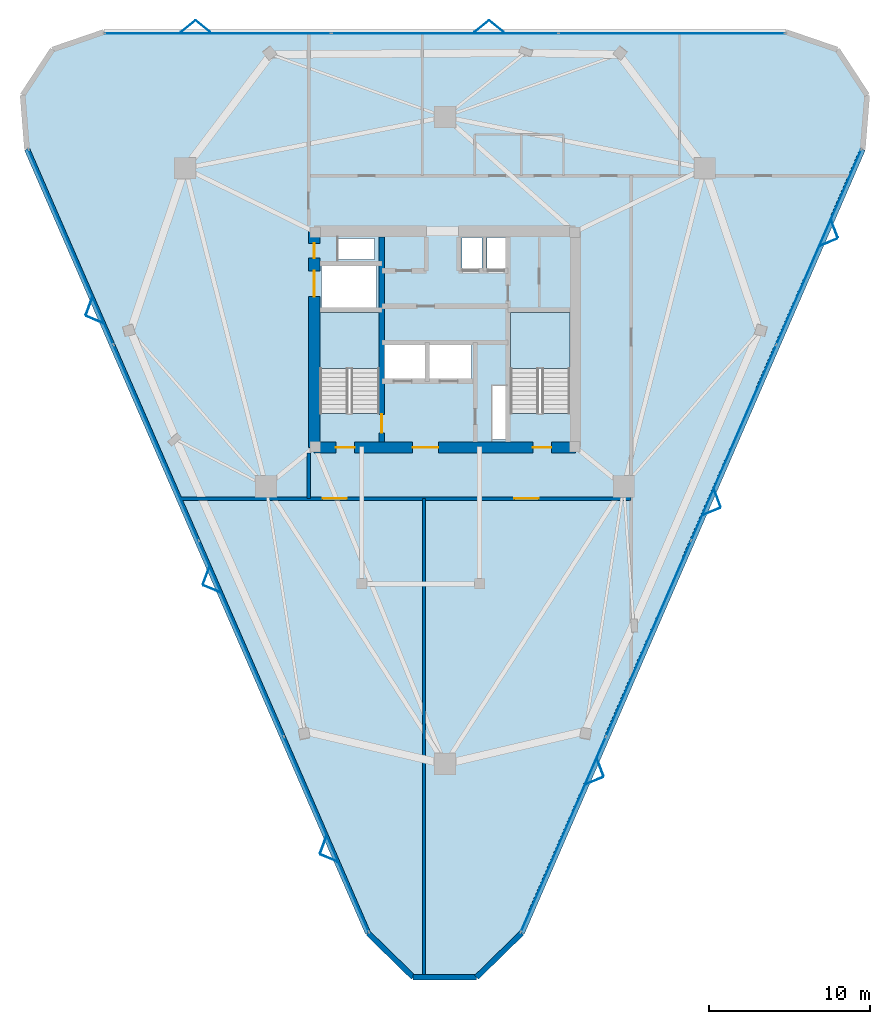
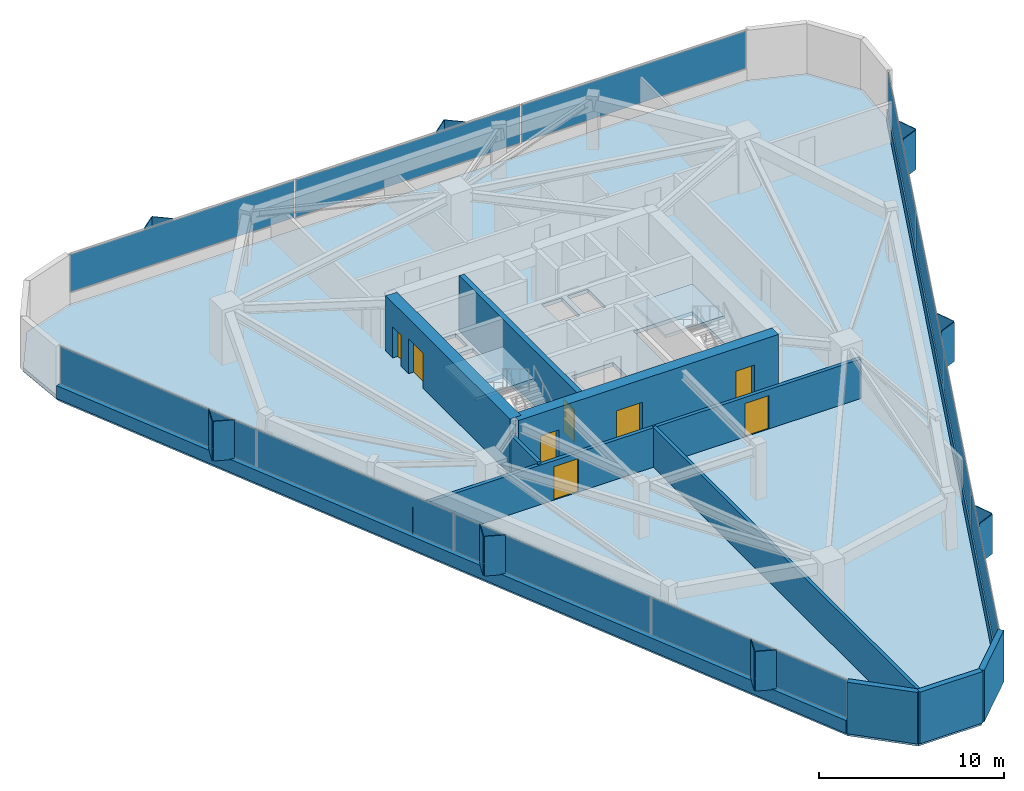
# One storey, part 9 of 12: 27 plates, 11 walls, 8 doors, 3 slabs, 8 openings, 5 elements without a shape of their own.
"""IFC4 building model written with IfcOpenShell, lengths in metres."""

from ifc_helpers import new_model, si_unit, direction, frame, frame_2d, origin, origin_2d, place, context, subcontext, project, spatial, polyline, rectangle, outline, extrude, material, layer, layer_set, type_object, element, fill, aggregate, save


model = new_model("IFC4")

# Units and contexts
model_context = context("Model", 3, precision=1e-05, world=origin(), true_north=direction((0.0, 1.0)))
body_context = subcontext(model_context, "Body", "Model", "MODEL_VIEW")
ifc_project = project(units=[si_unit("LENGTHUNIT", "METRE"), si_unit("AREAUNIT", "SQUARE_METRE"), si_unit("VOLUMEUNIT", "CUBIC_METRE"), si_unit("PLANEANGLEUNIT", "RADIAN"), si_unit("MASSUNIT", "GRAM", prefix="KILO")], contexts=[model_context])

# Site, building, storey
site_placement = place(None, origin())
site = spatial("IfcSite", under=ifc_project, at=site_placement, CompositionType="ELEMENT")
building_placement = place(site_placement, origin())
building = spatial("IfcBuilding", under=site, at=building_placement, Name="Talyreon Biosciences Tower", CompositionType="ELEMENT")
storey_placement = place(building_placement, frame((0.0, 0.0, 197.64990234375)))
storey = spatial("IfcBuildingStorey", under=building, at=storey_placement, Name="L52", CompositionType="ELEMENT", Elevation=197.64990234375)

# Curtain wall, plates
ifc_material_1 = material(Name="Thermally broken aluminium and low-E glazing", Category="aluminium")
ifc_layer_1 = layer(ifc_material_1, 0.179931640625)
ifc_layer_set_1 = layer_set([ifc_layer_1], Name="Thermally broken aluminium and low-E glazing")
curtain_wall_type = type_object("IfcCurtainWallType", Name="CurtainWall_Zone4Optical", PredefinedType="NOTDEFINED", material=ifc_layer_set_1)
curtain_wall_1_placement = place(storey_placement, origin())
curtain_wall_1 = element("IfcCurtainWall", 1, at=curtain_wall_1_placement, inside=storey, type_object=curtain_wall_type, Name="L52 Unitised Curtain Wall FCW-L52-00", PredefinedType="NOTDEFINED")
ifc_material_2 = material(Name="Triple-silver low-E insulated glazing", Category="glass")
ifc_layer_2 = layer(ifc_material_2, 0.031982421875)
ifc_layer_set_2 = layer_set([ifc_layer_2], Name="Triple-silver low-E insulated glazing")
plate_type_1 = type_object("IfcPlateType", Name="CWGlazingPanel_32", PredefinedType="CURTAIN_PANEL", material=ifc_layer_set_2)
plate_1_placement = place(storey_placement, frame((58.656982421875, 37.31640625, 0.875), z_axis=(0.0, 0.0, 1.0), x_axis=(-0.398862148946, 0.917010897502, 0.0)))
plate_1 = element("IfcPlate", 2, at=plate_1_placement, type_object=plate_type_1, Name="CW5 panel 1.1", PredefinedType="CURTAIN_PANEL", context=body_context, shape_type="SweptSolid", body=[
    extrude(rectangle(XDim=13.14697265625, YDim=0.031982421875, at=origin_2d()), origin(), (0.0, 0.0, 1.0), 2.4599609375),
])
plate_2_placement = place(storey_placement, frame((53.380859375, 49.44677734375, 0.875), z_axis=(0.0, 0.0, 1.0), x_axis=(-0.398862148946, 0.917010897502, 0.0)))
plate_2 = element("IfcPlate", 3, at=plate_2_placement, type_object=plate_type_1, Name="CW5 panel 2.1", PredefinedType="CURTAIN_PANEL", context=body_context, shape_type="SweptSolid", body=[
    extrude(rectangle(XDim=13.179443359375, YDim=0.031982421875, at=origin_2d()), origin(), (0.0, 0.0, 1.0), 2.4599609375),
])
plate_3_placement = place(storey_placement, frame((48.09814453125, 61.592041015625, 0.875), z_axis=(0.0, 0.0, 1.0), x_axis=(-0.398862148946, 0.917010897502, 0.0)))
plate_3 = element("IfcPlate", 4, at=plate_3_placement, type_object=plate_type_1, Name="CW5 panel 3.1", PredefinedType="CURTAIN_PANEL", context=body_context, shape_type="SweptSolid", body=[
    extrude(rectangle(XDim=13.179443359375, YDim=0.031982421875, at=origin_2d()), origin(), (0.0, 0.0, 1.0), 2.4599609375),
])
plate_4_placement = place(storey_placement, frame((42.822021484375, 73.722412109375, 0.875), z_axis=(0.0, 0.0, 1.0), x_axis=(-0.398862148946, 0.917010897502, 0.0)))
plate_4 = element("IfcPlate", 5, at=plate_4_placement, type_object=plate_type_1, Name="CW5 panel 4.1", PredefinedType="CURTAIN_PANEL", context=body_context, shape_type="SweptSolid", body=[
    extrude(rectangle(XDim=13.14697265625, YDim=0.031982421875, at=origin_2d()), origin(), (0.0, 0.0, 1.0), 2.4599609375),
])
aggregate(curtain_wall_1, [plate_1, plate_2, plate_3, plate_4])

curtain_wall_2_placement = place(storey_placement, origin())
curtain_wall_2 = element("IfcCurtainWall", 6, at=curtain_wall_2_placement, inside=storey, type_object=curtain_wall_type, Name="L52 Unitised Curtain Wall FCW-L52-04", PredefinedType="NOTDEFINED")
plate_5_placement = place(storey_placement, frame((51.92919921875, 86.971923828125, 0.875), z_axis=(0.0, 0.0, 1.0), x_axis=(1.0, 0.0, 0.0)))
plate_5 = element("IfcPlate", 7, at=plate_5_placement, type_object=plate_type_1, Name="CW5 panel 1.1", PredefinedType="CURTAIN_PANEL", context=body_context, shape_type="SweptSolid", body=[
    extrude(rectangle(XDim=13.98974609375, YDim=0.031982421875, at=origin_2d()), origin(), (0.0, 0.0, 1.0), 2.4599609375),
])
plate_6_placement = place(storey_placement, frame((66.0, 86.971923828125, 0.875), z_axis=(0.0, 0.0, 1.0), x_axis=(1.0, 0.0, 0.0)))
plate_6 = element("IfcPlate", 8, at=plate_6_placement, type_object=plate_type_1, Name="CW5 panel 2.1", PredefinedType="CURTAIN_PANEL", context=body_context, shape_type="SweptSolid", body=[
    extrude(rectangle(XDim=14.022216796875, YDim=0.031982421875, at=origin_2d()), origin(), (0.0, 0.0, 1.0), 2.4599609375),
])
plate_7_placement = place(storey_placement, frame((80.071044921875, 86.971923828125, 0.875), z_axis=(0.0, 0.0, 1.0), x_axis=(1.0, 0.0, 0.0)))
plate_7 = element("IfcPlate", 9, at=plate_7_placement, type_object=plate_type_1, Name="CW5 panel 3.1", PredefinedType="CURTAIN_PANEL", context=body_context, shape_type="SweptSolid", body=[
    extrude(rectangle(XDim=13.98974609375, YDim=0.031982421875, at=origin_2d()), origin(), (0.0, 0.0, 1.0), 2.4599609375),
])
aggregate(curtain_wall_2, [plate_5, plate_6, plate_7])

curtain_wall_3_placement = place(storey_placement, origin())
curtain_wall_3 = element("IfcCurtainWall", 10, at=curtain_wall_3_placement, inside=storey, type_object=curtain_wall_type, Name="L52 Unitised Curtain Wall FCW-L52-08", PredefinedType="NOTDEFINED")
plate_8_placement = place(storey_placement, frame((89.177978515625, 73.722412109375, 0.875), z_axis=(0.0, 0.0, 1.0), x_axis=(-0.398862148946, -0.917010897502, 0.0)))
plate_8 = element("IfcPlate", 11, at=plate_8_placement, type_object=plate_type_1, Name="CW5 panel 1.1", PredefinedType="CURTAIN_PANEL", context=body_context, shape_type="SweptSolid", body=[
    extrude(rectangle(XDim=13.14697265625, YDim=0.031982421875, at=origin_2d()), origin(), (0.0, 0.0, 1.0), 2.4599609375),
])
plate_9_placement = place(storey_placement, frame((83.90185546875, 61.592041015625, 0.875), z_axis=(0.0, 0.0, 1.0), x_axis=(-0.398862148946, -0.917010897502, 0.0)))
plate_9 = element("IfcPlate", 12, at=plate_9_placement, type_object=plate_type_1, Name="CW5 panel 2.1", PredefinedType="CURTAIN_PANEL", context=body_context, shape_type="SweptSolid", body=[
    extrude(rectangle(XDim=13.179443359375, YDim=0.031982421875, at=origin_2d()), origin(), (0.0, 0.0, 1.0), 2.4599609375),
])
plate_10_placement = place(storey_placement, frame((78.619140625, 49.44677734375, 0.875), z_axis=(0.0, 0.0, 1.0), x_axis=(-0.398862148946, -0.917010897502, 0.0)))
plate_10 = element("IfcPlate", 13, at=plate_10_placement, type_object=plate_type_1, Name="CW5 panel 3.1", PredefinedType="CURTAIN_PANEL", context=body_context, shape_type="SweptSolid", body=[
    extrude(rectangle(XDim=13.179443359375, YDim=0.031982421875, at=origin_2d()), origin(), (0.0, 0.0, 1.0), 2.4599609375),
])
plate_11_placement = place(storey_placement, frame((73.343017578125, 37.31640625, 0.875), z_axis=(0.0, 0.0, 1.0), x_axis=(-0.398862148946, -0.917010897502, 0.0)))
plate_11 = element("IfcPlate", 14, at=plate_11_placement, type_object=plate_type_1, Name="CW5 panel 4.1", PredefinedType="CURTAIN_PANEL", context=body_context, shape_type="SweptSolid", body=[
    extrude(rectangle(XDim=13.14697265625, YDim=0.031982421875, at=origin_2d()), origin(), (0.0, 0.0, 1.0), 2.4599609375),
])
aggregate(curtain_wall_3, [plate_8, plate_9, plate_10, plate_11])

# Slab
ifc_material_3 = material(Name="Concrete C40/50", Category="concrete")
ifc_layer_3 = layer(ifc_material_3, 0.25)
ifc_layer_set_3 = layer_set([ifc_layer_3], Name="Concrete C40/50")
slab_type_1 = type_object("IfcSlabType", Name="DryLabFloorSlab_250", PredefinedType="FLOOR", material=ifc_layer_set_3)
slab_1_placement = place(storey_placement, frame((0.0, 0.0, -0.25)))
element("IfcSlab", 15, at=slab_1_placement, inside=storey, type_object=slab_type_1, Name="L52 Structural Floor Slab", PredefinedType="FLOOR", context=body_context, shape_type="SweptSolid", body=[
    extrude(outline(polyline([(61.2314453125, 31.197021484375), (40.100830078125, 79.778076171875), (39.8310546875, 83.138916015625), (41.6796875, 85.958984375), (44.869384765625, 87.052001953125), (87.130859375, 87.052001953125), (90.3203125, 85.958984375), (92.1689453125, 83.138916015625), (91.899169921875, 79.778076171875), (70.7685546875, 31.197021484375), (67.9619140625, 28.455322265625), (64.0380859375, 28.455322265625), (61.2314453125, 31.197021484375)]), holes=[polyline([(69.820068359375, 65.10009765625), (69.820068359375, 61.800048828125), (68.9599609375, 61.800048828125), (68.9599609375, 65.10009765625), (69.820068359375, 65.10009765625)]), polyline([(61.929931640625, 69.64990234375), (61.929931640625, 63.407958984375), (58.25, 63.407958984375), (58.25, 69.64990234375), (61.929931640625, 69.64990234375)]), polyline([(73.75, 69.64990234375), (73.75, 63.407958984375), (70.070068359375, 63.407958984375), (70.070068359375, 69.64990234375), (73.75, 69.64990234375)]), polyline([(64.800048828125, 67.64990234375), (64.800048828125, 65.550048828125), (62.199951171875, 65.550048828125), (62.199951171875, 67.64990234375), (64.800048828125, 67.64990234375)]), polyline([(67.64990234375, 67.64990234375), (67.64990234375, 65.550048828125), (65.050048828125, 65.550048828125), (65.050048828125, 67.64990234375), (67.64990234375, 67.64990234375)]), polyline([(61.75, 72.550048828125), (61.75, 69.97998046875), (58.35009765625, 69.97998046875), (58.35009765625, 72.550048828125), (61.75, 72.550048828125)]), polyline([(68.300048828125, 74.300048828125), (68.300048828125, 72.35009765625), (67.050048828125, 72.35009765625), (67.050048828125, 74.300048828125), (68.300048828125, 74.300048828125)]), polyline([(69.919921875, 72.35009765625), (68.6201171875, 72.35009765625), (68.6201171875, 74.300048828125), (69.919921875, 74.300048828125), (69.919921875, 72.35009765625)]), polyline([(61.64990234375, 72.9599609375), (59.39990234375, 72.9599609375), (59.39990234375, 74.25), (61.64990234375, 74.25), (61.64990234375, 72.9599609375)])]), origin(), (0.0, 0.0, 1.0), 0.25),
])

# Plates
ifc_material_4 = material(Name="Ivory GFRC sunshade panel", Category="concrete")
ifc_layer_4 = layer(ifc_material_4, 0.044921875)
ifc_layer_set_4 = layer_set([ifc_layer_4], Name="Ivory GFRC sunshade panel")
plate_type_2 = type_object("IfcPlateType", Name="FoldedVSunshade_NorthFace_SUNSHADE", PredefinedType="USERDEFINED", material=ifc_layer_set_4)
for number, where, z_axis, x_axis, name in (
    (16, (50.08935546875, 87.412109375, 0.7900390625), (0.0, 0.0, 1.0), (0.771624583388, 0.636078220278, 0.0), "L52 Folded V-Sunshade Panel 04.01L"),
    (17, (50.9892578125, 87.412109375, 0.7900390625), (0.0, 0.0, 1.0), (0.771624583388, -0.636078220278, 0.0), "L52 Folded V-Sunshade Panel 04.01R"),
    (18, (68.289306640625, 87.412109375, 0.7900390625), (0.0, 0.0, 1.0), (0.771624583388, 0.636078220278, 0.0), "L52 Folded V-Sunshade Panel 04.02L"),
    (19, (69.189208984375, 87.412109375, 0.7900390625), (0.0, 0.0, 1.0), (0.771624583388, -0.636078220278, 0.0), "L52 Folded V-Sunshade Panel 04.02R"),
):
    element("IfcPlate", number, at=place(storey_placement, frame(where, z_axis=z_axis, x_axis=x_axis)), inside=storey, type_object=plate_type_2, Name=name, ObjectType="SUNSHADE", PredefinedType="USERDEFINED", context=body_context, shape_type="SweptSolid", body=[
        extrude(rectangle(XDim=1.14990234375, YDim=0.044921875, at=origin_2d()), origin(), (0.0, 0.0, 1.0), 2.610107421875),
    ])
ifc_layer_5 = layer(ifc_material_4, 0.044921875)
ifc_layer_set_5 = layer_set([ifc_layer_5], Name="Ivory GFRC sunshade panel")
plate_type_3 = type_object("IfcPlateType", Name="FoldedVSunshade_SunFace_SUNSHADE", PredefinedType="USERDEFINED", material=ifc_layer_set_5)
for number, where, z_axis, x_axis, name in (
    (20, (58.8193359375, 35.84033203125, 0.7900390625), (0.0, 0.0, 1.0), (-0.923926279217, 0.382570556331, 0.0), "L52 Folded V-Sunshade Panel 00.01L"),
    (21, (58.460205078125, 36.66552734375, 0.7900390625), (0.0, 0.0, 1.0), (0.35009294255, 0.936714968161, 0.0), "L52 Folded V-Sunshade Panel 00.01R"),
    (22, (51.56005859375, 52.52978515625, 0.7900390625), (0.0, 0.0, 1.0), (-0.923926279217, 0.382570556331, 0.0), "L52 Folded V-Sunshade Panel 00.02L"),
    (23, (51.200927734375, 53.355224609375, 0.7900390625), (0.0, 0.0, 1.0), (0.35009294255, 0.936714968161, 0.0), "L52 Folded V-Sunshade Panel 00.02R"),
    (24, (44.30078125, 69.219482421875, 0.7900390625), (0.0, 0.0, 1.0), (-0.923926279217, 0.382570556331, 0.0), "L52 Folded V-Sunshade Panel 00.03L"),
    (25, (43.94189453125, 70.044921875, 0.7900390625), (0.0, 0.0, 1.0), (0.35009294255, 0.936714968161, 0.0), "L52 Folded V-Sunshade Panel 00.03R"),
    (26, (90.147216796875, 74.84765625, 0.7900390625), (0.0, 0.0, 1.0), (0.35009294255, -0.936714968161, 0.0), "L52 Folded V-Sunshade Panel 08.01L"),
    (27, (89.788330078125, 74.022216796875, 0.7900390625), (0.0, 0.0, 1.0), (-0.923926279217, -0.382570556331, 0.0), "L52 Folded V-Sunshade Panel 08.01R"),
    (28, (82.887939453125, 58.157958984375, 0.7900390625), (0.0, 0.0, 1.0), (0.35009294255, -0.936714968161, 0.0), "L52 Folded V-Sunshade Panel 08.02L"),
    (29, (82.529052734375, 57.332763671875, 0.7900390625), (0.0, 0.0, 1.0), (-0.923926279217, -0.382570556331, 0.0), "L52 Folded V-Sunshade Panel 08.02R"),
    (30, (75.628662109375, 41.468505859375, 0.7900390625), (0.0, 0.0, 1.0), (0.35009294255, -0.936714968161, 0.0), "L52 Folded V-Sunshade Panel 08.03L"),
    (31, (75.269775390625, 40.64306640625, 0.7900390625), (0.0, 0.0, 1.0), (-0.923926279217, -0.382570556331, 0.0), "L52 Folded V-Sunshade Panel 08.03R"),
):
    element("IfcPlate", number, at=place(storey_placement, frame(where, z_axis=z_axis, x_axis=x_axis)), inside=storey, type_object=plate_type_3, Name=name, ObjectType="SUNSHADE", PredefinedType="USERDEFINED", context=body_context, shape_type="SweptSolid", body=[
        extrude(rectangle(XDim=1.14990234375, YDim=0.044921875, at=origin_2d()), origin(), (0.0, 0.0, 1.0), 2.610107421875),
    ])

# Stair, slab
stair_type = type_object("IfcStairType", Name="DoglegEscapeStair_3650", PredefinedType="HALF_TURN_STAIR", material=ifc_material_3)
stair_1_placement = place(storey_placement, origin())
stair_1 = element("IfcStair", 32, at=stair_1_placement, inside=storey, type_object=stair_type, Name="L52 Core Escape Stair 1", PredefinedType="HALF_TURN_STAIR")
ifc_layer_6 = layer(ifc_material_3, 0.199951171875)
ifc_layer_set_6 = layer_set([ifc_layer_6], Name="Concrete C40/50")
slab_type_2 = type_object("IfcSlabType", Name="StairLandingSlab_200", PredefinedType="LANDING", material=ifc_layer_set_6)
slab_2_placement = place(storey_placement, frame((0.0, 0.0, 1.625)))
slab_2 = element("IfcSlab", 33, at=slab_2_placement, type_object=slab_type_2, Name="ST-1 landing 1", PredefinedType="LANDING", context=body_context, shape_type="SweptSolid", body=[
    extrude(outline(polyline([(61.929931640625, 66.199951171875), (61.929931640625, 69.64990234375), (58.25, 69.64990234375), (58.25, 66.199951171875), (61.929931640625, 66.199951171875)])), origin(), (0.0, 0.0, 1.0), 0.2001953125),
])
aggregate(stair_1, [slab_2])

stair_2_placement = place(storey_placement, origin())
stair_2 = element("IfcStair", 34, at=stair_2_placement, inside=storey, type_object=stair_type, Name="L52 Core Escape Stair 2", PredefinedType="HALF_TURN_STAIR")
slab_3_placement = place(storey_placement, frame((0.0, 0.0, 1.625)))
slab_3 = element("IfcSlab", 35, at=slab_3_placement, type_object=slab_type_2, Name="ST-2 landing 1", PredefinedType="LANDING", context=body_context, shape_type="SweptSolid", body=[
    extrude(outline(polyline([(73.75, 66.199951171875), (73.75, 69.64990234375), (70.070068359375, 69.64990234375), (70.070068359375, 66.199951171875), (73.75, 66.199951171875)])), origin(), (0.0, 0.0, 1.0), 0.2001953125),
])
aggregate(stair_2, [slab_3])

# Wall
ifc_material_5 = material(Name="Gypsum fireboard acoustic stud", Category="gypsum")
ifc_layer_7 = layer(ifc_material_5, 0.199951171875)
ifc_layer_set_7 = layer_set([ifc_layer_7], Name="Gypsum fireboard acoustic stud")
wall_type_1 = type_object("IfcWallType", Name="ChemControlPartition_200", PredefinedType="PARTITIONING", material=ifc_layer_set_7)
wall_1_placement = place(storey_placement, frame((64.7099609375, 28.540283203125, 0.0), z_axis=(0.0, 0.0, 1.0), x_axis=(0.0, 1.0, 0.0)))
element("IfcWall", 36, at=wall_1_placement, inside=storey, type_object=wall_type_1, Name="L52 Interior Wall IW-L52-SDIV1", PredefinedType="PARTITIONING", context=body_context, shape_type="SweptSolid", body=[
    extrude(rectangle(XDim=29.589599609375, YDim=0.199951171875, at=frame_2d((14.794921875, 0.0))), origin(), (0.0, 0.0, 1.0), 2.60009765625),
])

# Wall, opening, door
ifc_material_6 = material(Name="Concrete C50/60", Category="concrete")
ifc_layer_8 = layer(ifc_material_6, 0.320068359375)
ifc_layer_set_8 = layer_set([ifc_layer_8], Name="Concrete C50/60")
wall_type_2 = type_object("IfcWallType", Name="CoreShearWall_320", PredefinedType="SHEAR", material=ifc_layer_set_8)
wall_2_placement = place(storey_placement, frame((62.090087890625, 61.64990234375, 0.0), z_axis=(0.0, 0.0, 1.0), x_axis=(0.0, 1.0, 0.0)))
wall_2 = element("IfcWall", 37, at=wall_2_placement, inside=storey, type_object=wall_type_2, Name="L52 Core Shaft Wall SW1E", PredefinedType="SHEAR", context=body_context, shape_type="SweptSolid", body=[
    extrude(rectangle(XDim=12.7001953125, YDim=0.320068359375, at=frame_2d((6.35009765625, 0.0))), origin(), (0.0, 0.0, 1.0), 3.650146484375),
])
opening_1_placement = place(wall_2_placement, frame((0.550048828125, 0.0, 0.0)))
opening_1 = element("IfcOpeningElement", 38, at=opening_1_placement, cuts=wall_2, Name="Opening DR-L52-FF-ST1", PredefinedType="OPENING", context=body_context, shape_type="SweptSolid", body=[
    extrude(rectangle(XDim=1.14990234375, YDim=2.14990234375, at=frame_2d((0.574951171875, 1.074951171875))), frame((0.0, 0.169921875, 0.0), z_axis=(0.0, -1.0, 0.0), x_axis=(1.0, 0.0, 0.0)), (0.0, 0.0, 1.0), 0.340087890625),
])
ifc_material_7 = material(Name="Painted steel fire door", Category="steel")
door_type_1 = type_object("IfcDoorType", Name="StairShaftFireDoor_1150x2150", OperationType="NOTDEFINED", PredefinedType="DOOR", material=ifc_material_7)
door_1_placement = place(opening_1_placement, origin())
door_1 = element("IfcDoor", 39, at=door_1_placement, inside=storey, type_object=door_type_1, Name="L52 Core Door DR-L52-FF-ST1", OperationType="SINGLE_SWING_LEFT", OverallHeight=2.14990234375, OverallWidth=1.14990234375, PredefinedType="DOOR", context=body_context, shape_type="SweptSolid", body=[
    extrude(rectangle(XDim=1.14990234375, YDim=2.14990234375, at=frame_2d((0.574951171875, 1.074951171875))), frame((0.0, 0.02490234375, 0.0), z_axis=(0.0, -1.0, 0.0), x_axis=(1.0, 0.0, 0.0)), (0.0, 0.0, 1.0), 0.050048828125),
])
fill(opening_1, door_1)

# Wall, openings, doors
ifc_layer_9 = layer(ifc_material_6, 0.699951171875)
ifc_layer_set_9 = layer_set([ifc_layer_9], Name="Concrete C50/60")
wall_type_3 = type_object("IfcWallType", Name="CoreShearWall_700", PredefinedType="SHEAR", material=ifc_layer_set_9)
wall_3_placement = place(storey_placement, frame((57.89990234375, 61.300048828125, 0.0), z_axis=(0.0, 0.0, 1.0), x_axis=(1.0, 0.0, 0.0)))
wall_3 = element("IfcWall", 40, at=wall_3_placement, inside=storey, type_object=wall_type_3, Name="L52 Core Shear Wall S", PredefinedType="SHEAR", context=body_context, shape_type="SweptSolid", body=[
    extrude(rectangle(XDim=16.2001953125, YDim=0.699951171875, at=frame_2d((8.10009765625, 0.0))), origin(), (0.0, 0.0, 1.0), 3.650146484375),
])
opening_2_placement = place(wall_3_placement, frame((1.35009765625, 0.0, 0.0)))
opening_2 = element("IfcOpeningElement", 41, at=opening_2_placement, cuts=wall_3, Name="Opening DR-L52-ST1", PredefinedType="OPENING", context=body_context, shape_type="SweptSolid", body=[
    extrude(rectangle(XDim=1.14990234375, YDim=2.14990234375, at=frame_2d((0.574951171875, 1.074951171875))), frame((0.0, 0.35986328125, 0.0), z_axis=(0.0, -1.0, 0.0), x_axis=(1.0, 0.0, 0.0)), (0.0, 0.0, 1.0), 0.719970703125),
])
opening_3_placement = place(wall_3_placement, frame((6.10009765625, 0.0, 0.0)))
opening_3 = element("IfcOpeningElement", 42, at=opening_3_placement, cuts=wall_3, Name="Opening DR-L52-FFL", PredefinedType="OPENING", context=body_context, shape_type="SweptSolid", body=[
    extrude(rectangle(XDim=1.60009765625, YDim=2.14990234375, at=frame_2d((0.800048828125, 1.074951171875))), frame((0.0, 0.35986328125, 0.0), z_axis=(0.0, -1.0, 0.0), x_axis=(1.0, 0.0, 0.0)), (0.0, 0.0, 1.0), 0.719970703125),
])
opening_4_placement = place(wall_3_placement, frame((13.550048828125, 0.0, 0.0)))
opening_4 = element("IfcOpeningElement", 43, at=opening_4_placement, cuts=wall_3, Name="Opening DR-L52-ST2", PredefinedType="OPENING", context=body_context, shape_type="SweptSolid", body=[
    extrude(rectangle(XDim=1.14990234375, YDim=2.14990234375, at=frame_2d((0.574951171875, 1.074951171875))), frame((0.0, 0.35986328125, 0.0), z_axis=(0.0, -1.0, 0.0), x_axis=(1.0, 0.0, 0.0)), (0.0, 0.0, 1.0), 0.719970703125),
])
ifc_material_8 = material(Name="Painted steel smoke-seal fire door", Category="steel")
door_type_2 = type_object("IfcDoorType", Name="FirefightingLobbyDoubleDoor_1600x2150", OperationType="DOUBLE_DOOR_SINGLE_SWING", PredefinedType="DOOR", material=ifc_material_8)
door_2_placement = place(opening_3_placement, origin())
door_2 = element("IfcDoor", 44, at=door_2_placement, inside=storey, type_object=door_type_2, Name="L52 Core Door DR-L52-FFL", OperationType="DOUBLE_DOOR_SINGLE_SWING", OverallHeight=2.14990234375, OverallWidth=1.60009765625, PredefinedType="DOOR", context=body_context, shape_type="SweptSolid", body=[
    extrude(rectangle(XDim=1.60009765625, YDim=2.14990234375, at=frame_2d((0.800048828125, 1.074951171875))), frame((0.0, 0.02490234375, 0.0), z_axis=(0.0, -1.0, 0.0), x_axis=(1.0, 0.0, 0.0)), (0.0, 0.0, 1.0), 0.050048828125),
])
fill(opening_3, door_2)
door_3_placement = place(opening_2_placement, origin())
door_3 = element("IfcDoor", 45, at=door_3_placement, inside=storey, type_object=door_type_1, Name="L52 Core Door DR-L52-ST1", OperationType="SINGLE_SWING_LEFT", OverallHeight=2.14990234375, OverallWidth=1.14990234375, PredefinedType="DOOR", context=body_context, shape_type="SweptSolid", body=[
    extrude(rectangle(XDim=1.14990234375, YDim=2.14990234375, at=frame_2d((0.574951171875, 1.074951171875))), frame((0.0, 0.02490234375, 0.0), z_axis=(0.0, -1.0, 0.0), x_axis=(1.0, 0.0, 0.0)), (0.0, 0.0, 1.0), 0.050048828125),
])
fill(opening_2, door_3)
door_4_placement = place(opening_4_placement, origin())
door_4 = element("IfcDoor", 46, at=door_4_placement, inside=storey, type_object=door_type_1, Name="L52 Core Door DR-L52-ST2", OperationType="SINGLE_SWING_RIGHT", OverallHeight=2.14990234375, OverallWidth=1.14990234375, PredefinedType="DOOR", context=body_context, shape_type="SweptSolid", body=[
    extrude(rectangle(XDim=1.14990234375, YDim=2.14990234375, at=frame_2d((0.574951171875, 1.074951171875))), frame((0.0, 0.02490234375, 0.0), z_axis=(0.0, -1.0, 0.0), x_axis=(1.0, 0.0, 0.0)), (0.0, 0.0, 1.0), 0.050048828125),
])
fill(opening_4, door_4)

wall_4_placement = place(storey_placement, frame((57.89990234375, 74.699951171875, 0.0), z_axis=(0.0, 0.0, 1.0), x_axis=(0.0, -1.0, 0.0)))
wall_4 = element("IfcWall", 47, at=wall_4_placement, inside=storey, type_object=wall_type_3, Name="L52 Core Shear Wall W", PredefinedType="SHEAR", context=body_context, shape_type="SweptSolid", body=[
    extrude(rectangle(XDim=13.39990234375, YDim=0.699951171875, at=frame_2d((6.699951171875, 0.0))), origin(), (0.0, 0.0, 1.0), 3.650146484375),
])
opening_5_placement = place(wall_4_placement, frame((0.75, 0.0, 0.0)))
opening_5 = element("IfcOpeningElement", 48, at=opening_5_placement, cuts=wall_4, Name="Opening DR-L52-RSW", PredefinedType="OPENING", context=body_context, shape_type="SweptSolid", body=[
    extrude(rectangle(XDim=0.919921875, YDim=2.050048828125, at=frame_2d((0.4599609375, 1.02490234375))), frame((0.0, 0.35986328125, 0.0), z_axis=(0.0, -1.0, 0.0), x_axis=(1.0, 0.0, 0.0)), (0.0, 0.0, 1.0), 0.719970703125),
])
opening_6_placement = place(wall_4_placement, frame((2.449951171875, 0.0, 0.0)))
opening_6 = element("IfcOpeningElement", 49, at=opening_6_placement, cuts=wall_4, Name="Opening LD-L52-GL1", PredefinedType="OPENING", context=body_context, shape_type="SweptSolid", body=[
    extrude(rectangle(XDim=1.60009765625, YDim=2.300048828125, at=frame_2d((0.800048828125, 1.14990234375))), frame((0.0, 0.35986328125, 0.0), z_axis=(0.0, -1.0, 0.0), x_axis=(1.0, 0.0, 0.0)), (0.0, 0.0, 1.0), 0.719970703125),
])
ifc_material_9 = material(Name="Heavy-duty stainless-steel goods lift door", Category="steel")
door_type_3 = type_object("IfcDoorType", Name="GoodsLiftSlidingDoor_1600x2300", OperationType="DOUBLE_DOOR_SLIDING", PredefinedType="DOOR", material=ifc_material_9)
door_5_placement = place(opening_6_placement, origin())
door_5 = element("IfcDoor", 50, at=door_5_placement, inside=storey, type_object=door_type_3, Name="L52 Core Door LD-L52-GL1", OperationType="DOUBLE_DOOR_SLIDING", OverallHeight=2.300048828125, OverallWidth=1.60009765625, PredefinedType="DOOR", context=body_context, shape_type="SweptSolid", body=[
    extrude(rectangle(XDim=1.60009765625, YDim=2.300048828125, at=frame_2d((0.800048828125, 1.14990234375))), frame((0.0, 0.02490234375, 0.0), z_axis=(0.0, -1.0, 0.0), x_axis=(1.0, 0.0, 0.0)), (0.0, 0.0, 1.0), 0.050048828125),
])
fill(opening_6, door_5)
ifc_material_10 = material(Name="Painted steel fire-rated riser door", Category="steel")
door_type_4 = type_object("IfcDoorType", Name="RiserPlantAccessDoor_920x2050", OperationType="NOTDEFINED", PredefinedType="DOOR", material=ifc_material_10)
door_6_placement = place(opening_5_placement, origin())
door_6 = element("IfcDoor", 51, at=door_6_placement, inside=storey, type_object=door_type_4, Name="L52 Core Door DR-L52-RSW", OperationType="SINGLE_SWING_LEFT", OverallHeight=2.050048828125, OverallWidth=0.919921875, PredefinedType="DOOR", context=body_context, shape_type="SweptSolid", body=[
    extrude(rectangle(XDim=0.919921875, YDim=2.050048828125, at=frame_2d((0.4599609375, 1.02490234375))), frame((0.0, 0.02490234375, 0.0), z_axis=(0.0, -1.0, 0.0), x_axis=(1.0, 0.0, 0.0)), (0.0, 0.0, 1.0), 0.050048828125),
])
fill(opening_5, door_6)

ifc_layer_10 = layer(ifc_material_5, 0.219970703125)
ifc_layer_set_10 = layer_set([ifc_layer_10], Name="Gypsum fireboard acoustic stud")
wall_type_4 = type_object("IfcWallType", Name="CorridorRatedPartition_220", PredefinedType="PARTITIONING", material=ifc_layer_set_10)
wall_5_placement = place(storey_placement, frame((49.609619140625, 58.1298828125, 0.0), z_axis=(0.0, 0.0, 1.0), x_axis=(1.0, 0.0, 0.0)))
wall_5 = element("IfcWall", 52, at=wall_5_placement, inside=storey, type_object=wall_type_4, Name="L52 Interior Wall IW-L52-COR-S", PredefinedType="PARTITIONING", context=body_context, shape_type="SweptSolid", body=[
    extrude(rectangle(XDim=27.9404296875, YDim=0.219970703125, at=frame_2d((13.97021484375, 0.0))), origin(), (0.0, 0.0, 1.0), 2.60009765625),
])
opening_7_placement = place(wall_5_placement, frame((8.81201171875, 0.0, 0.0)))
opening_7 = element("IfcOpeningElement", 53, at=opening_7_placement, cuts=wall_5, Name="Opening DR-L52-S1A", PredefinedType="OPENING", context=body_context, shape_type="SweptSolid", body=[
    extrude(rectangle(XDim=1.5, YDim=2.199951171875, at=frame_2d((0.75, 1.10009765625))), frame((0.0, 0.119873046875, 0.0), z_axis=(0.0, -1.0, 0.0), x_axis=(1.0, 0.0, 0.0)), (0.0, 0.0, 1.0), 0.239990234375),
])
opening_8_placement = place(wall_5_placement, frame((20.695068359375, 0.0, 0.0)))
opening_8 = element("IfcOpeningElement", 54, at=opening_8_placement, cuts=wall_5, Name="Opening DR-L52-S2A", PredefinedType="OPENING", context=body_context, shape_type="SweptSolid", body=[
    extrude(rectangle(XDim=1.5, YDim=2.199951171875, at=frame_2d((0.75, 1.10009765625))), frame((0.0, 0.119873046875, 0.0), z_axis=(0.0, -1.0, 0.0), x_axis=(1.0, 0.0, 0.0)), (0.0, 0.0, 1.0), 0.239990234375),
])
ifc_material_11 = material(Name="Vision-panel steel laboratory fire door", Category="steel")
door_type_5 = type_object("IfcDoorType", Name="WetLabDoubleLeafDoor_1500x2200", OperationType="DOUBLE_DOOR_SINGLE_SWING", PredefinedType="DOOR", material=ifc_material_11)
door_7_placement = place(opening_7_placement, origin())
door_7 = element("IfcDoor", 55, at=door_7_placement, inside=storey, type_object=door_type_5, Name="L52 Interior Door DR-L52-S1A", OperationType="DOUBLE_DOOR_SINGLE_SWING", OverallHeight=2.199951171875, OverallWidth=1.5, PredefinedType="DOOR", context=body_context, shape_type="SweptSolid", body=[
    extrude(rectangle(XDim=1.5, YDim=2.199951171875, at=frame_2d((0.75, 1.10009765625))), frame((0.0, 0.02490234375, 0.0), z_axis=(0.0, -1.0, 0.0), x_axis=(1.0, 0.0, 0.0)), (0.0, 0.0, 1.0), 0.050048828125),
])
fill(opening_7, door_7)
door_8_placement = place(opening_8_placement, origin())
door_8 = element("IfcDoor", 56, at=door_8_placement, inside=storey, type_object=door_type_5, Name="L52 Interior Door DR-L52-S2A", OperationType="DOUBLE_DOOR_SINGLE_SWING", OverallHeight=2.199951171875, OverallWidth=1.5, PredefinedType="DOOR", context=body_context, shape_type="SweptSolid", body=[
    extrude(rectangle(XDim=1.5, YDim=2.199951171875, at=frame_2d((0.75, 1.10009765625))), frame((0.0, 0.02490234375, 0.0), z_axis=(0.0, -1.0, 0.0), x_axis=(1.0, 0.0, 0.0)), (0.0, 0.0, 1.0), 0.050048828125),
])
fill(opening_8, door_8)

# Walls
wall_6_placement = place(storey_placement, frame((57.550048828125, 58.1298828125, 0.0), z_axis=(0.0, 0.0, 1.0), x_axis=(0.0, 1.0, 0.0)))
element("IfcWall", 57, at=wall_6_placement, inside=storey, type_object=wall_type_4, Name="L52 Interior Wall IW-L52-WCAP-S", PredefinedType="PARTITIONING", context=body_context, shape_type="SweptSolid", body=[
    extrude(rectangle(XDim=2.820068359375, YDim=0.219970703125, at=frame_2d((1.41015625, 0.0))), origin(), (0.0, 0.0, 1.0), 2.780029296875),
])
ifc_material_12 = material(Name="Precast concrete C45/55", Category="concrete")
ifc_layer_11 = layer(ifc_material_12, 0.340087890625)
ifc_layer_set_11 = layer_set([ifc_layer_11], Name="Precast concrete C45/55")
wall_type_5 = type_object("IfcWallType", Name="PrecastConcreteSpandrelWall_340", PredefinedType="STANDARD", material=ifc_layer_set_11)
for number, where, z_axis, x_axis, name in (
    (58, (61.2314453125, 31.197021484375, 0.0), (0.0, 0.0, 1.0), (-0.398859735494, 0.917011947251, 0.0), "L52 Expressed Concrete Sill Wall 00"),
    (59, (91.899169921875, 79.778076171875, 0.0), (0.0, 0.0, 1.0), (-0.398859735494, -0.917011947251, 0.0), "L52 Expressed Concrete Sill Wall 08"),
):
    element("IfcWall", number, at=place(storey_placement, frame(where, z_axis=z_axis, x_axis=x_axis)), inside=storey, type_object=wall_type_5, Name=name, PredefinedType="STANDARD", context=body_context, shape_type="SweptSolid", body=[
        extrude(rectangle(XDim=52.9775390625, YDim=0.340087890625, at=frame_2d((26.48876953125, 0.0))), origin(), (0.0, 0.0, 1.0), 0.85009765625),
    ])
wall_7_placement = place(storey_placement, frame((70.7685546875, 31.197021484375, 0.0), z_axis=(0.0, 0.0, 1.0), x_axis=(-0.71533422409, -0.698782475342, 0.0)))
element("IfcWall", 60, at=wall_7_placement, inside=storey, type_object=wall_type_5, Name="L52 Rounded-Corner Concrete Pier 09", PredefinedType="STANDARD", context=body_context, shape_type="SweptSolid", body=[
    extrude(rectangle(XDim=3.923583984375, YDim=0.340087890625, at=frame_2d((1.9619140625, 0.0))), origin(), (0.0, 0.0, 1.0), 3.400146484375),
])
wall_8_placement = place(storey_placement, frame((67.9619140625, 28.455322265625, 0.0), z_axis=(0.0, 0.0, 1.0), x_axis=(-1.0, 0.0, 0.0)))
element("IfcWall", 61, at=wall_8_placement, inside=storey, type_object=wall_type_5, Name="L52 Rounded-Corner Concrete Pier 10", PredefinedType="STANDARD", context=body_context, shape_type="SweptSolid", body=[
    extrude(rectangle(XDim=3.923828125, YDim=0.340087890625, at=frame_2d((1.9619140625, 0.0))), origin(), (0.0, 0.0, 1.0), 3.400146484375),
])
wall_9_placement = place(storey_placement, frame((64.0380859375, 28.455322265625, 0.0), z_axis=(0.0, 0.0, 1.0), x_axis=(-0.71533422409, 0.698782475342, 0.0)))
element("IfcWall", 62, at=wall_9_placement, inside=storey, type_object=wall_type_5, Name="L52 Rounded-Corner Concrete Pier 11", PredefinedType="STANDARD", context=body_context, shape_type="SweptSolid", body=[
    extrude(rectangle(XDim=3.923583984375, YDim=0.340087890625, at=frame_2d((1.9619140625, 0.0))), origin(), (0.0, 0.0, 1.0), 3.400146484375),
])

save(model, "model.ifc")
